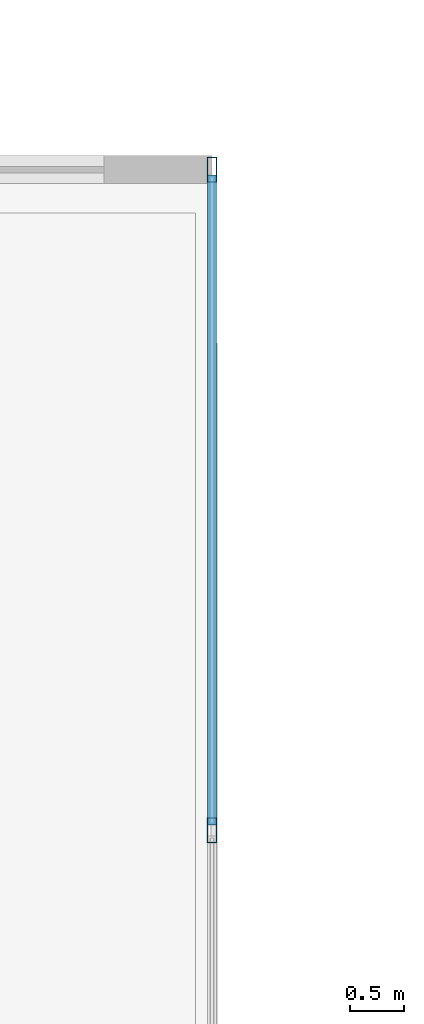
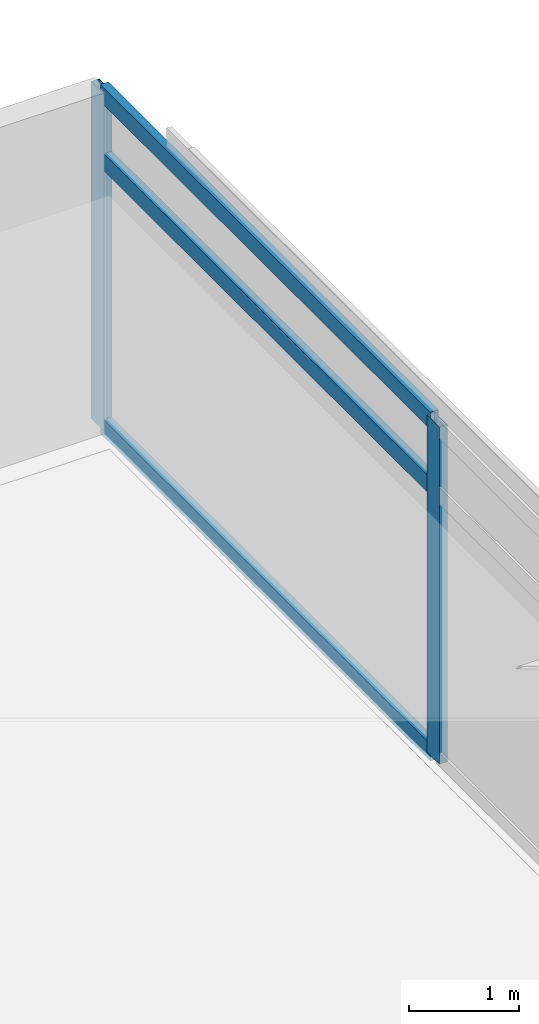
# One storey, part 11 of 20: 5 members, 1 element without a shape of its own.
"""IFC4 building model written with IfcOpenShell, lengths in metres."""

from ifc_helpers import new_model, si_unit, direction, frame, origin, origin_2d, place, context, subcontext, project, spatial, hollow_rectangle, extrude, material, material_profile, profile_set, type_object, element, aggregate, save


model = new_model("IFC4")

# Units and contexts
model_context = context("Model", 3, precision=1e-05, world=origin(), true_north=direction((0.0, 1.0)))
body_context = subcontext(model_context, "Body", "Model", "MODEL_VIEW")
ifc_project = project(units=[si_unit("LENGTHUNIT", "METRE"), si_unit("AREAUNIT", "SQUARE_METRE"), si_unit("VOLUMEUNIT", "CUBIC_METRE"), si_unit("PLANEANGLEUNIT", "RADIAN"), si_unit("MASSUNIT", "GRAM", prefix="KILO")], contexts=[model_context])

# Site, building, storey
site_placement = place(None, origin())
site = spatial("IfcSite", under=ifc_project, at=site_placement, CompositionType="ELEMENT")
building_placement = place(site_placement, origin())
building = spatial("IfcBuilding", under=site, at=building_placement, Name="Kovane Verandah Tower", CompositionType="ELEMENT")
storey_placement = place(building_placement, frame((0.0, 0.0, 318.800048828125)))
storey = spatial("IfcBuildingStorey", under=building, at=storey_placement, Name="L74", CompositionType="ELEMENT", Elevation=318.800048828125)

# Curtain wall, members
ifc_material_1 = material(Name="Champagne Anodised Aluminium Frame with Low-E Clear Laminated Glass", Category="aluminium")
curtain_wall_type = type_object("IfcCurtainWallType", Name="CW-SYS-05-HIGH", PredefinedType="NOTDEFINED", material=ifc_material_1)
curtain_wall_placement = place(storey_placement, origin())
curtain_wall = element("IfcCurtainWall", 1, at=curtain_wall_placement, inside=storey, type_object=curtain_wall_type, Name="L74 E Unitised Curtain Wall", PredefinedType="NOTDEFINED")
ifc_material_2 = material(Name="Champagne Anodised Aluminium 6063-T6", Category="aluminium")
ifc_material_profile_1 = material_profile(ifc_material_2, hollow_rectangle(XDim=0.0849609375, YDim=0.22998046875, WallThickness=0.00390625, at=origin_2d()), Name="AL85x230x4")
ifc_profile_set_1 = profile_set([ifc_material_profile_1], Name="Champagne Anodised Aluminium 6063-T6")
member_type_1 = type_object("IfcMemberType", Name="CW-MUL-85x230", PredefinedType="MULLION", material=ifc_profile_set_1)
member_1_placement = place(storey_placement, frame((64.83154296875, 39.71044921875, 0.02001953125), z_axis=(0.0, 0.0, 1.0), x_axis=(1.0, 0.0, 0.0)))
member_1 = element("IfcMember", 2, at=member_1_placement, type_object=member_type_1, Name="L74 E Unitised Curtain Wall Mullion 6", PredefinedType="MULLION", context=body_context, shape_type="SweptSolid", body=[
    extrude(hollow_rectangle(XDim=0.0849609375, YDim=0.22998046875, WallThickness=0.00390625, at=origin_2d()), origin(), (0.0, 0.0, 1.0), 3.744873046875),
])
member_2_placement = place(storey_placement, frame((64.83154296875, 45.815673828125, 0.02001953125), z_axis=(0.0, 0.0, 1.0), x_axis=(1.0, 0.0, 0.0)))
member_2 = element("IfcMember", 3, at=member_2_placement, type_object=member_type_1, Name="L74 E Unitised Curtain Wall Mullion 7", PredefinedType="MULLION", context=body_context, shape_type="SweptSolid", body=[
    extrude(hollow_rectangle(XDim=0.0849609375, YDim=0.22998046875, WallThickness=0.00390625, at=origin_2d()), origin(), (0.0, 0.0, 1.0), 3.744873046875),
])
ifc_material_profile_2 = material_profile(ifc_material_2, hollow_rectangle(XDim=0.0849609375, YDim=0.18994140625, WallThickness=0.00390625, at=origin_2d()), Name="AL85x190x4")
ifc_profile_set_2 = profile_set([ifc_material_profile_2], Name="Champagne Anodised Aluminium 6063-T6")
member_type_2 = type_object("IfcMemberType", Name="CW-TRN-85x190", PredefinedType="USERDEFINED", material=ifc_profile_set_2)
member_3_placement = place(storey_placement, frame((64.83154296875, 39.760498046875, 0.050048828125), z_axis=(0.0, 1.0, 0.0), x_axis=(-1.0, 0.0, 0.0)))
member_3 = element("IfcMember", 4, at=member_3_placement, type_object=member_type_2, Name="L74 E Unitised Curtain Wall Transom TB Bay 6", ObjectType="TRANSOM", PredefinedType="USERDEFINED", context=body_context, shape_type="SweptSolid", body=[
    extrude(hollow_rectangle(XDim=0.0849609375, YDim=0.18994140625, WallThickness=0.00390625, at=origin_2d()), origin(), (0.0, 0.0, 1.0), 6.005126953125),
])
member_4_placement = place(storey_placement, frame((64.83154296875, 39.760498046875, 3.0048828125), z_axis=(0.0, 1.0, 0.0), x_axis=(-1.0, 0.0, 0.0)))
member_4 = element("IfcMember", 5, at=member_4_placement, type_object=member_type_2, Name="L74 E Unitised Curtain Wall Transom TM Bay 6", ObjectType="TRANSOM", PredefinedType="USERDEFINED", context=body_context, shape_type="SweptSolid", body=[
    extrude(hollow_rectangle(XDim=0.0849609375, YDim=0.18994140625, WallThickness=0.00390625, at=origin_2d()), origin(), (0.0, 0.0, 1.0), 6.005126953125),
])
member_5_placement = place(storey_placement, frame((64.83154296875, 39.760498046875, 3.73486328125), z_axis=(0.0, 1.0, 0.0), x_axis=(-1.0, 0.0, 0.0)))
member_5 = element("IfcMember", 6, at=member_5_placement, type_object=member_type_2, Name="L74 E Unitised Curtain Wall Transom TT Bay 6", ObjectType="TRANSOM", PredefinedType="USERDEFINED", context=body_context, shape_type="SweptSolid", body=[
    extrude(hollow_rectangle(XDim=0.0849609375, YDim=0.18994140625, WallThickness=0.00390625, at=origin_2d()), origin(), (0.0, 0.0, 1.0), 6.005126953125),
])
aggregate(curtain_wall, [member_1, member_2, member_3, member_4, member_5])

save(model, "model.ifc")
